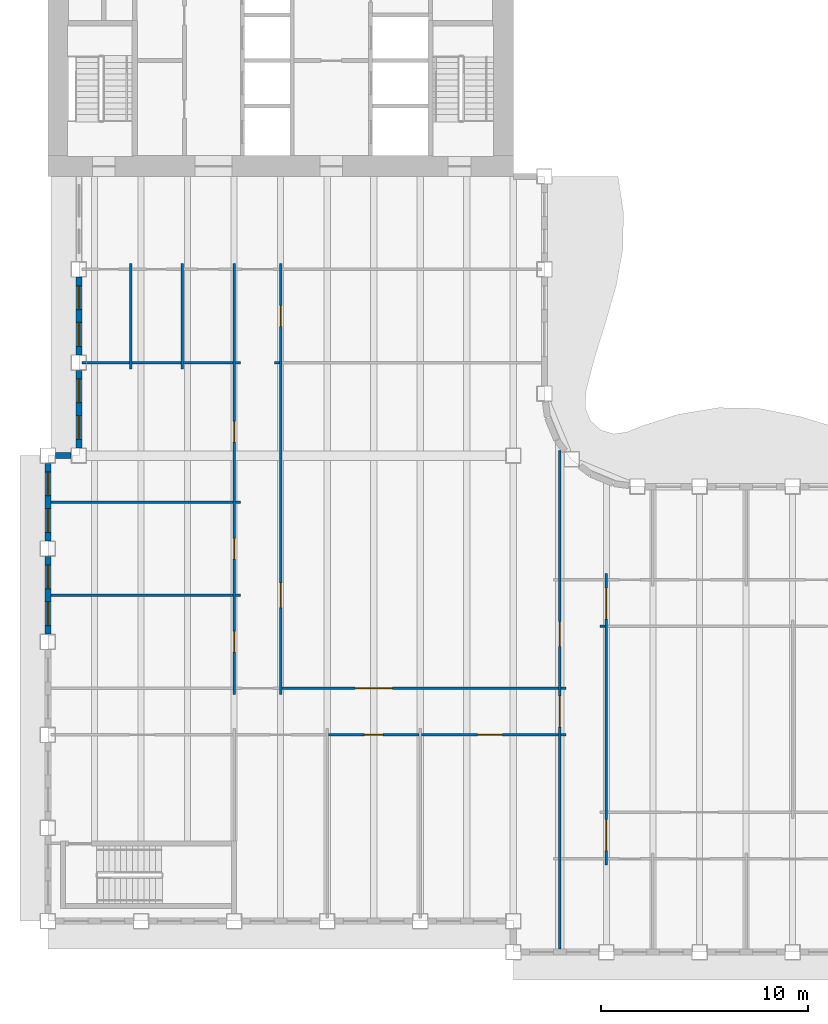
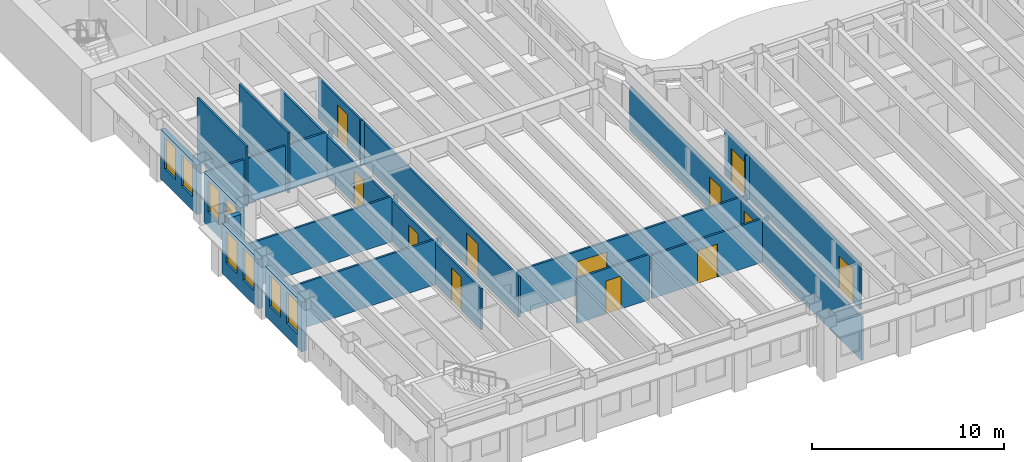
# One storey, part 4 of 17: 26 walls, 12 doors, 8 windows, 20 openings.
"""IFC4 building model written with IfcOpenShell, lengths in metres."""

from ifc_helpers import new_model, si_unit, direction, frame, frame_2d, origin, place, context, subcontext, project, spatial, rectangle, extrude, material, layer, layer_set, type_object, element, fill, save


model = new_model("IFC4")

# Units and contexts
model_context = context("Model", 3, precision=1e-05, world=origin(), true_north=direction((0.0, 1.0)))
body_context = subcontext(model_context, "Body", "Model", "MODEL_VIEW")
ifc_project = project(units=[si_unit("LENGTHUNIT", "METRE"), si_unit("AREAUNIT", "SQUARE_METRE"), si_unit("VOLUMEUNIT", "CUBIC_METRE"), si_unit("PLANEANGLEUNIT", "RADIAN"), si_unit("MASSUNIT", "GRAM", prefix="KILO")], contexts=[model_context])

# Site, building, storey
site_placement = place(None, origin())
site = spatial("IfcSite", under=ifc_project, at=site_placement, CompositionType="ELEMENT")
building_placement = place(site_placement, origin())
building = spatial("IfcBuilding", under=site, at=building_placement, Name="Sennacour Bend Tower", CompositionType="ELEMENT")
storey_placement = place(building_placement, frame((0.0, 0.0, 203.0)))
storey = spatial("IfcBuildingStorey", under=building, at=storey_placement, Name="L46", CompositionType="ELEMENT", Elevation=203.0)

# Walls
ifc_material_1 = material(Name="Plasterboard partition on steel studs", Category="steel")
ifc_layer_1 = layer(ifc_material_1, 0.1201171875, Name="Plasterboard partition on steel studs", Category="steel")
ifc_layer_set_1 = layer_set([ifc_layer_1], Name="Plasterboard partition on steel studs")
wall_type_1 = type_object("IfcWallType", Name="Partition 120", PredefinedType="PARTITIONING", material=ifc_layer_set_1)
for number, where, z_axis, x_axis, name in (
    (1, (4.0, 26.699951171875, 0.0), (0.0, 0.0, 1.0), (0.0, 1.0, 0.0), "P-L46-W005a"),
    (2, (6.5, 26.699951171875, 0.0), (0.0, 0.0, 1.0), (0.0, 1.0, 0.0), "P-L46-W008a"),
):
    element("IfcWall", number, at=place(storey_placement, frame(where, z_axis=z_axis, x_axis=x_axis)), inside=storey, type_object=wall_type_1, Name=name, PredefinedType="PARTITIONING", context=body_context, shape_type="SweptSolid", body=[
        extrude(rectangle(XDim=5.10009765625, YDim=0.1201171875, at=frame_2d((2.550048828125, 0.0))), origin(), (0.0, 0.0, 1.0), 3.85009765625),
    ])

# Wall, openings, doors
wall_1_placement = place(storey_placement, frame((9.0, 10.949951171875, 0.0), z_axis=(0.0, 0.0, 1.0), x_axis=(0.0, 1.0, 0.0)))
wall_1 = element("IfcWall", 3, at=wall_1_placement, inside=storey, type_object=wall_type_1, Name="P-L46-W013a", PredefinedType="PARTITIONING", context=body_context, shape_type="SweptSolid", body=[
    extrude(rectangle(XDim=20.85009765625, YDim=0.1201171875, at=frame_2d((10.425048828125, 0.0))), origin(), (0.0, 0.0, 1.0), 2.60009765625),
])
opening_1_placement = place(wall_1_placement, frame((2.050048828125, 0.0, 0.0)))
opening_1 = element("IfcOpeningElement", 4, at=opening_1_placement, cuts=wall_1, Name="Opening OD2", PredefinedType="OPENING", context=body_context, shape_type="SweptSolid", body=[
    extrude(rectangle(XDim=1.0, YDim=2.10009765625, at=frame_2d((0.5, 1.050048828125))), frame((0.0, 0.070068359375, 0.0), z_axis=(0.0, -1.0, 0.0), x_axis=(1.0, 0.0, 0.0)), (0.0, 0.0, 1.0), 0.14013671875),
])
opening_2_placement = place(wall_1_placement, frame((6.550048828125, 0.0, 0.0)))
opening_2 = element("IfcOpeningElement", 5, at=opening_2_placement, cuts=wall_1, Name="Opening OD2", PredefinedType="OPENING", context=body_context, shape_type="SweptSolid", body=[
    extrude(rectangle(XDim=1.0, YDim=2.10009765625, at=frame_2d((0.5, 1.050048828125))), frame((0.0, 0.070068359375, 0.0), z_axis=(0.0, -1.0, 0.0), x_axis=(1.0, 0.0, 0.0)), (0.0, 0.0, 1.0), 0.14013671875),
])
opening_3_placement = place(wall_1_placement, frame((12.205078125, 0.0, 0.0)))
opening_3 = element("IfcOpeningElement", 6, at=opening_3_placement, cuts=wall_1, Name="Opening OD2", PredefinedType="OPENING", context=body_context, shape_type="SweptSolid", body=[
    extrude(rectangle(XDim=1.0, YDim=2.10009765625, at=frame_2d((0.5, 1.050048828125))), frame((0.0, 0.070068359375, 0.0), z_axis=(0.0, -1.0, 0.0), x_axis=(1.0, 0.0, 0.0)), (0.0, 0.0, 1.0), 0.14013671875),
])
ifc_material_2 = material(Name="Timber", Category="wood")
door_type_1 = type_object("IfcDoorType", Name="DR-OFFICE-1000", OperationType="NOTDEFINED", PredefinedType="DOOR", material=ifc_material_2)
door_1_placement = place(opening_1_placement, origin())
door_1 = element("IfcDoor", 7, at=door_1_placement, inside=storey, type_object=door_type_1, Name="Door", OperationType="SINGLE_SWING_LEFT", OverallHeight=2.10009765625, OverallWidth=1.0, PredefinedType="DOOR", context=body_context, shape_type="SweptSolid", body=[
    extrude(rectangle(XDim=1.0, YDim=2.10009765625, at=frame_2d((0.5, 1.050048828125))), frame((0.0, 0.02490234375, 0.0), z_axis=(0.0, -1.0, 0.0), x_axis=(1.0, 0.0, 0.0)), (0.0, 0.0, 1.0), 0.050048828125),
])
fill(opening_1, door_1)
door_2_placement = place(opening_2_placement, origin())
door_2 = element("IfcDoor", 8, at=door_2_placement, inside=storey, type_object=door_type_1, Name="Door", OperationType="SINGLE_SWING_LEFT", OverallHeight=2.10009765625, OverallWidth=1.0, PredefinedType="DOOR", context=body_context, shape_type="SweptSolid", body=[
    extrude(rectangle(XDim=1.0, YDim=2.10009765625, at=frame_2d((0.5, 1.050048828125))), frame((0.0, 0.02490234375, 0.0), z_axis=(0.0, -1.0, 0.0), x_axis=(1.0, 0.0, 0.0)), (0.0, 0.0, 1.0), 0.050048828125),
])
fill(opening_2, door_2)
door_3_placement = place(opening_3_placement, origin())
door_3 = element("IfcDoor", 9, at=door_3_placement, inside=storey, type_object=door_type_1, Name="Door", OperationType="SINGLE_SWING_RIGHT", OverallHeight=2.10009765625, OverallWidth=1.0, PredefinedType="DOOR", context=body_context, shape_type="SweptSolid", body=[
    extrude(rectangle(XDim=1.0, YDim=2.10009765625, at=frame_2d((0.5, 1.050048828125))), frame((0.0, 0.02490234375, 0.0), z_axis=(0.0, -1.0, 0.0), x_axis=(1.0, 0.0, 0.0)), (0.0, 0.0, 1.0), 0.050048828125),
])
fill(opening_3, door_3)

wall_2_placement = place(storey_placement, frame((11.25, 10.949951171875, 0.0), z_axis=(0.0, 0.0, 1.0), x_axis=(0.0, 1.0, 0.0)))
wall_2 = element("IfcWall", 10, at=wall_2_placement, inside=storey, type_object=wall_type_1, Name="P-L46-W016a", PredefinedType="PARTITIONING", context=body_context, shape_type="SweptSolid", body=[
    extrude(rectangle(XDim=20.85009765625, YDim=0.1201171875, at=frame_2d((10.425048828125, 0.0))), origin(), (0.0, 0.0, 1.0), 2.60009765625),
])
opening_4_placement = place(wall_2_placement, frame((17.800048828125, 0.0, 0.0)))
opening_4 = element("IfcOpeningElement", 11, at=opening_4_placement, cuts=wall_2, Name="Opening OD2", PredefinedType="OPENING", context=body_context, shape_type="SweptSolid", body=[
    extrude(rectangle(XDim=1.0, YDim=2.10009765625, at=frame_2d((0.5, 1.050048828125))), frame((0.0, 0.070068359375, 0.0), z_axis=(0.0, -1.0, 0.0), x_axis=(1.0, 0.0, 0.0)), (0.0, 0.0, 1.0), 0.14013671875),
])
opening_5_placement = place(wall_2_placement, frame((4.199951171875, 0.0, 0.0)))
opening_5 = element("IfcOpeningElement", 12, at=opening_5_placement, cuts=wall_2, Name="Opening OD", PredefinedType="OPENING", context=body_context, shape_type="SweptSolid", body=[
    extrude(rectangle(XDim=1.199951171875, YDim=2.10009765625, at=frame_2d((0.60009765625, 1.050048828125))), frame((0.0, 0.070068359375, 0.0), z_axis=(0.0, -1.0, 0.0), x_axis=(1.0, 0.0, 0.0)), (0.0, 0.0, 1.0), 0.14013671875),
])
door_4_placement = place(opening_4_placement, origin())
door_4 = element("IfcDoor", 13, at=door_4_placement, inside=storey, type_object=door_type_1, Name="Door", OperationType="SINGLE_SWING_RIGHT", OverallHeight=2.10009765625, OverallWidth=1.0, PredefinedType="DOOR", context=body_context, shape_type="SweptSolid", body=[
    extrude(rectangle(XDim=1.0, YDim=2.10009765625, at=frame_2d((0.5, 1.050048828125))), frame((0.0, 0.02490234375, 0.0), z_axis=(0.0, -1.0, 0.0), x_axis=(1.0, 0.0, 0.0)), (0.0, 0.0, 1.0), 0.050048828125),
])
fill(opening_4, door_4)
door_type_2 = type_object("IfcDoorType", Name="DR-OFFICE-1200", OperationType="NOTDEFINED", PredefinedType="DOOR", material=ifc_material_2)
door_5_placement = place(opening_5_placement, origin())
door_5 = element("IfcDoor", 14, at=door_5_placement, inside=storey, type_object=door_type_2, Name="Door", OperationType="SINGLE_SWING_LEFT", OverallHeight=2.10009765625, OverallWidth=1.199951171875, PredefinedType="DOOR", context=body_context, shape_type="SweptSolid", body=[
    extrude(rectangle(XDim=1.199951171875, YDim=2.10009765625, at=frame_2d((0.60009765625, 1.050048828125))), frame((0.0, 0.02490234375, 0.0), z_axis=(0.0, -1.0, 0.0), x_axis=(1.0, 0.0, 0.0)), (0.0, 0.0, 1.0), 0.050048828125),
])
fill(opening_5, door_5)

# Wall, opening, door
wall_3_placement = place(storey_placement, frame((18.06005859375, 9.0, 0.0), z_axis=(0.0, 0.0, 1.0), x_axis=(1.0, 0.0, 0.0)))
wall_3 = element("IfcWall", 15, at=wall_3_placement, inside=storey, type_object=wall_type_1, Name="P-L46-W066ad", PredefinedType="PARTITIONING", context=body_context, shape_type="SweptSolid", body=[
    extrude(rectangle(XDim=6.6298828125, YDim=0.1201171875, at=frame_2d((3.31494140625, 0.0))), origin(), (0.0, 0.0, 1.0), 2.760009765625),
])
opening_6_placement = place(wall_3_placement, frame((2.71484375, 0.0, 0.0)))
opening_6 = element("IfcOpeningElement", 16, at=opening_6_placement, cuts=wall_3, Name="Opening OD", PredefinedType="OPENING", context=body_context, shape_type="SweptSolid", body=[
    extrude(rectangle(XDim=1.199951171875, YDim=2.10009765625, at=frame_2d((0.60009765625, 1.050048828125))), frame((0.0, 0.070068359375, 0.0), z_axis=(0.0, -1.0, 0.0), x_axis=(1.0, 0.0, 0.0)), (0.0, 0.0, 1.0), 0.14013671875),
])
door_6_placement = place(opening_6_placement, origin())
door_6 = element("IfcDoor", 17, at=door_6_placement, inside=storey, type_object=door_type_2, Name="Door", OperationType="SINGLE_SWING_LEFT", OverallHeight=2.10009765625, OverallWidth=1.199951171875, PredefinedType="DOOR", context=body_context, shape_type="SweptSolid", body=[
    extrude(rectangle(XDim=1.199951171875, YDim=2.10009765625, at=frame_2d((0.60009765625, 1.050048828125))), frame((0.0, 0.02490234375, 0.0), z_axis=(0.0, -1.0, 0.0), x_axis=(1.0, 0.0, 0.0)), (0.0, 0.0, 1.0), 0.050048828125),
])
fill(opening_6, door_6)

# Wall
wall_4_placement = place(storey_placement, frame((24.81005859375, 9.0, 0.0), z_axis=(0.0, 0.0, 1.0), x_axis=(1.0, 0.0, 0.0)))
element("IfcWall", 18, at=wall_4_placement, inside=storey, type_object=wall_type_1, Name="P-L46-W066ae", PredefinedType="PARTITIONING", context=body_context, shape_type="SweptSolid", body=[
    extrude(rectangle(XDim=0.239990234375, YDim=0.1201171875, at=frame_2d((0.1201171875, 0.0))), origin(), (0.0, 0.0, 1.0), 2.760009765625),
])

# Wall, opening, door
wall_5_placement = place(storey_placement, frame((11.31005859375, 11.25, 0.0), z_axis=(0.0, 0.0, 1.0), x_axis=(1.0, 0.0, 0.0)))
wall_5 = element("IfcWall", 19, at=wall_5_placement, inside=storey, type_object=wall_type_1, Name="P-L46-W069ac", PredefinedType="PARTITIONING", context=body_context, shape_type="SweptSolid", body=[
    extrude(rectangle(XDim=13.3798828125, YDim=0.1201171875, at=frame_2d((6.68994140625, 0.0))), origin(), (0.0, 0.0, 1.0), 2.760009765625),
])
opening_7_placement = place(wall_5_placement, frame((3.539794921875, 0.0, 0.0)))
opening_7 = element("IfcOpeningElement", 20, at=opening_7_placement, cuts=wall_5, Name="Opening OD3", PredefinedType="OPENING", context=body_context, shape_type="SweptSolid", body=[
    extrude(rectangle(XDim=1.800048828125, YDim=2.10009765625, at=frame_2d((0.89990234375, 1.050048828125))), frame((0.0, 0.070068359375, 0.0), z_axis=(0.0, -1.0, 0.0), x_axis=(1.0, 0.0, 0.0)), (0.0, 0.0, 1.0), 0.14013671875),
])
door_type_3 = type_object("IfcDoorType", Name="DR-OFFICE-1800", OperationType="NOTDEFINED", PredefinedType="DOOR", material=ifc_material_2)
door_7_placement = place(opening_7_placement, origin())
door_7 = element("IfcDoor", 21, at=door_7_placement, inside=storey, type_object=door_type_3, Name="Door", OperationType="DOUBLE_DOOR_SINGLE_SWING", OverallHeight=2.10009765625, OverallWidth=1.800048828125, PredefinedType="DOOR", context=body_context, shape_type="SweptSolid", body=[
    extrude(rectangle(XDim=1.800048828125, YDim=2.10009765625, at=frame_2d((0.89990234375, 1.050048828125))), frame((0.0, 0.02490234375, 0.0), z_axis=(0.0, -1.0, 0.0), x_axis=(1.0, 0.0, 0.0)), (0.0, 0.0, 1.0), 0.050048828125),
])
fill(opening_7, door_7)

# Walls
wall_6_placement = place(storey_placement, frame((24.81005859375, 11.25, 0.0), z_axis=(0.0, 0.0, 1.0), x_axis=(1.0, 0.0, 0.0)))
element("IfcWall", 22, at=wall_6_placement, inside=storey, type_object=wall_type_1, Name="P-L46-W069ad", PredefinedType="PARTITIONING", context=body_context, shape_type="SweptSolid", body=[
    extrude(rectangle(XDim=0.239990234375, YDim=0.1201171875, at=frame_2d((0.1201171875, 0.0))), origin(), (0.0, 0.0, 1.0), 2.760009765625),
])
wall_7_placement = place(storey_placement, frame((26.699951171875, 14.25, 0.0), z_axis=(0.0, 0.0, 1.0), x_axis=(1.0, 0.0, 0.0)))
element("IfcWall", 23, at=wall_7_placement, inside=storey, type_object=wall_type_1, Name="P-L46-W073aa", PredefinedType="PARTITIONING", context=body_context, shape_type="SweptSolid", body=[
    extrude(rectangle(XDim=0.239990234375, YDim=0.1201171875, at=frame_2d((0.1201171875, 0.0))), origin(), (0.0, 0.0, 1.0), 2.8701171875),
])
wall_8_placement = place(storey_placement, frame((0.14990234375, 15.75, 0.0), z_axis=(0.0, 0.0, 1.0), x_axis=(1.0, 0.0, 0.0)))
element("IfcWall", 24, at=wall_8_placement, inside=storey, type_object=wall_type_1, Name="P-L46-W076aa", PredefinedType="PARTITIONING", context=body_context, shape_type="SweptSolid", body=[
    extrude(rectangle(XDim=8.7900390625, YDim=0.1201171875, at=frame_2d((4.39501953125, 0.0))), origin(), (0.0, 0.0, 1.0), 2.8701171875),
])
wall_9_placement = place(storey_placement, frame((9.06005859375, 15.75, 0.0), z_axis=(0.0, 0.0, 1.0), x_axis=(1.0, 0.0, 0.0)))
element("IfcWall", 25, at=wall_9_placement, inside=storey, type_object=wall_type_1, Name="P-L46-W076ab", PredefinedType="PARTITIONING", context=body_context, shape_type="SweptSolid", body=[
    extrude(rectangle(XDim=0.239990234375, YDim=0.1201171875, at=frame_2d((0.1201171875, 0.0))), origin(), (0.0, 0.0, 1.0), 2.8701171875),
])
wall_10_placement = place(storey_placement, frame((0.14990234375, 20.25, 0.0), z_axis=(0.0, 0.0, 1.0), x_axis=(1.0, 0.0, 0.0)))
element("IfcWall", 26, at=wall_10_placement, inside=storey, type_object=wall_type_1, Name="P-L46-W081aa", PredefinedType="PARTITIONING", context=body_context, shape_type="SweptSolid", body=[
    extrude(rectangle(XDim=8.7900390625, YDim=0.1201171875, at=frame_2d((4.39501953125, 0.0))), origin(), (0.0, 0.0, 1.0), 2.8701171875),
])
wall_11_placement = place(storey_placement, frame((9.06005859375, 20.25, 0.0), z_axis=(0.0, 0.0, 1.0), x_axis=(1.0, 0.0, 0.0)))
element("IfcWall", 27, at=wall_11_placement, inside=storey, type_object=wall_type_1, Name="P-L46-W081ab", PredefinedType="PARTITIONING", context=body_context, shape_type="SweptSolid", body=[
    extrude(rectangle(XDim=0.239990234375, YDim=0.1201171875, at=frame_2d((0.1201171875, 0.0))), origin(), (0.0, 0.0, 1.0), 2.8701171875),
])
wall_12_placement = place(storey_placement, frame((1.64990234375, 27.0, 0.0), z_axis=(0.0, 0.0, 1.0), x_axis=(1.0, 0.0, 0.0)))
element("IfcWall", 28, at=wall_12_placement, inside=storey, type_object=wall_type_1, Name="P-L46-W084aa", PredefinedType="PARTITIONING", context=body_context, shape_type="SweptSolid", body=[
    extrude(rectangle(XDim=2.2900390625, YDim=0.1201171875, at=frame_2d((1.14501953125, 0.0))), origin(), (0.0, 0.0, 1.0), 2.8701171875),
])
for number, where, z_axis, x_axis, name in (
    (29, (4.06005859375, 27.0, 0.0), (0.0, 0.0, 1.0), (1.0, 0.0, 0.0), "P-L46-W084ab"),
    (30, (6.56005859375, 27.0, 0.0), (0.0, 0.0, 1.0), (1.0, 0.0, 0.0), "P-L46-W084ac"),
):
    element("IfcWall", number, at=place(storey_placement, frame(where, z_axis=z_axis, x_axis=x_axis)), inside=storey, type_object=wall_type_1, Name=name, PredefinedType="PARTITIONING", context=body_context, shape_type="SweptSolid", body=[
        extrude(rectangle(XDim=2.3798828125, YDim=0.1201171875, at=frame_2d((1.18994140625, 0.0))), origin(), (0.0, 0.0, 1.0), 2.8701171875),
    ])
for number, where, z_axis, x_axis, name in (
    (31, (9.06005859375, 27.0, 0.0), (0.0, 0.0, 1.0), (1.0, 0.0, 0.0), "P-L46-W084ad"),
    (32, (10.949951171875, 27.0, 0.0), (0.0, 0.0, 1.0), (1.0, 0.0, 0.0), "P-L46-W085aa"),
):
    element("IfcWall", number, at=place(storey_placement, frame(where, z_axis=z_axis, x_axis=x_axis)), inside=storey, type_object=wall_type_1, Name=name, PredefinedType="PARTITIONING", context=body_context, shape_type="SweptSolid", body=[
        extrude(rectangle(XDim=0.239990234375, YDim=0.1201171875, at=frame_2d((0.1201171875, 0.0))), origin(), (0.0, 0.0, 1.0), 2.8701171875),
    ])

# Wall, openings, doors
ifc_layer_2 = layer(ifc_material_1, 0.1201171875, Name="Plasterboard partition on steel studs", Category="steel")
ifc_layer_set_2 = layer_set([ifc_layer_2], Name="Plasterboard partition on steel studs")
wall_type_2 = type_object("IfcWallType", Name="Partition 120 EI 30", PredefinedType="PARTITIONING", material=ifc_layer_set_2)
wall_13_placement = place(storey_placement, frame((24.75, -1.35009765625, 0.0), z_axis=(0.0, 0.0, 1.0), x_axis=(0.0, 1.0, 0.0)))
wall_13 = element("IfcWall", 33, at=wall_13_placement, inside=storey, type_object=wall_type_2, Name="P-L46-W027a", PredefinedType="PARTITIONING", context=body_context, shape_type="SweptSolid", body=[
    extrude(rectangle(XDim=24.1005859375, YDim=0.1201171875, at=frame_2d((12.05029296875, 0.0))), origin(), (0.0, 0.0, 1.0), 2.760009765625),
])
opening_8_placement = place(wall_13_placement, frame((10.72509765625, 0.0, 0.0)))
opening_8 = element("IfcOpeningElement", 34, at=opening_8_placement, cuts=wall_13, Name="Opening KD", PredefinedType="OPENING", context=body_context, shape_type="SweptSolid", body=[
    extrude(rectangle(XDim=1.5, YDim=2.10009765625, at=frame_2d((0.75, 1.050048828125))), frame((0.0, 0.070068359375, 0.0), z_axis=(0.0, -1.0, 0.0), x_axis=(1.0, 0.0, 0.0)), (0.0, 0.0, 1.0), 0.14013671875),
])
opening_9_placement = place(wall_13_placement, frame((14.625, 0.0, 0.0)))
opening_9 = element("IfcOpeningElement", 35, at=opening_9_placement, cuts=wall_13, Name="Opening OD", PredefinedType="OPENING", context=body_context, shape_type="SweptSolid", body=[
    extrude(rectangle(XDim=1.199951171875, YDim=2.10009765625, at=frame_2d((0.60009765625, 1.050048828125))), frame((0.0, 0.070068359375, 0.0), z_axis=(0.0, -1.0, 0.0), x_axis=(1.0, 0.0, 0.0)), (0.0, 0.0, 1.0), 0.14013671875),
])
ifc_material_3 = material(Name="Painted steel", Category="steel")
door_type_4 = type_object("IfcDoorType", Name="DR-CORRIDOR-1500", OperationType="NOTDEFINED", PredefinedType="DOOR", material=ifc_material_3)
door_8_placement = place(opening_8_placement, origin())
door_8 = element("IfcDoor", 36, at=door_8_placement, inside=storey, type_object=door_type_4, Name="Door", OperationType="SINGLE_SWING_LEFT", OverallHeight=2.10009765625, OverallWidth=1.5, PredefinedType="DOOR", context=body_context, shape_type="SweptSolid", body=[
    extrude(rectangle(XDim=1.5, YDim=2.10009765625, at=frame_2d((0.75, 1.050048828125))), frame((0.0, 0.02490234375, 0.0), z_axis=(0.0, -1.0, 0.0), x_axis=(1.0, 0.0, 0.0)), (0.0, 0.0, 1.0), 0.050048828125),
])
fill(opening_8, door_8)
door_9_placement = place(opening_9_placement, origin())
door_9 = element("IfcDoor", 37, at=door_9_placement, inside=storey, type_object=door_type_2, Name="Door", OperationType="SINGLE_SWING_RIGHT", OverallHeight=2.10009765625, OverallWidth=1.199951171875, PredefinedType="DOOR", context=body_context, shape_type="SweptSolid", body=[
    extrude(rectangle(XDim=1.199951171875, YDim=2.10009765625, at=frame_2d((0.60009765625, 1.050048828125))), frame((0.0, 0.02490234375, 0.0), z_axis=(0.0, -1.0, 0.0), x_axis=(1.0, 0.0, 0.0)), (0.0, 0.0, 1.0), 0.050048828125),
])
fill(opening_9, door_9)

wall_14_placement = place(storey_placement, frame((27.0, 2.699951171875, 0.0), z_axis=(0.0, 0.0, 1.0), x_axis=(0.0, 1.0, 0.0)))
wall_14 = element("IfcWall", 38, at=wall_14_placement, inside=storey, type_object=wall_type_2, Name="P-L46-W028a", PredefinedType="PARTITIONING", context=body_context, shape_type="SweptSolid", body=[
    extrude(rectangle(XDim=14.10009765625, YDim=0.1201171875, at=frame_2d((7.050048828125, 0.0))), origin(), (0.0, 0.0, 1.0), 2.8701171875),
])
opening_10_placement = place(wall_14_placement, frame((0.705078125, 0.0, 0.0)))
opening_10 = element("IfcOpeningElement", 39, at=opening_10_placement, cuts=wall_14, Name="Opening KD", PredefinedType="OPENING", context=body_context, shape_type="SweptSolid", body=[
    extrude(rectangle(XDim=1.5, YDim=2.10009765625, at=frame_2d((0.75, 1.050048828125))), frame((0.0, 0.070068359375, 0.0), z_axis=(0.0, -1.0, 0.0), x_axis=(1.0, 0.0, 0.0)), (0.0, 0.0, 1.0), 0.14013671875),
])
opening_11_placement = place(wall_14_placement, frame((11.89501953125, 0.0, 0.0)))
opening_11 = element("IfcOpeningElement", 40, at=opening_11_placement, cuts=wall_14, Name="Opening KD", PredefinedType="OPENING", context=body_context, shape_type="SweptSolid", body=[
    extrude(rectangle(XDim=1.5, YDim=2.10009765625, at=frame_2d((0.75, 1.050048828125))), frame((0.0, 0.070068359375, 0.0), z_axis=(0.0, -1.0, 0.0), x_axis=(1.0, 0.0, 0.0)), (0.0, 0.0, 1.0), 0.14013671875),
])
door_10_placement = place(opening_10_placement, origin())
door_10 = element("IfcDoor", 41, at=door_10_placement, inside=storey, type_object=door_type_4, Name="Door", OperationType="SINGLE_SWING_LEFT", OverallHeight=2.10009765625, OverallWidth=1.5, PredefinedType="DOOR", context=body_context, shape_type="SweptSolid", body=[
    extrude(rectangle(XDim=1.5, YDim=2.10009765625, at=frame_2d((0.75, 1.050048828125))), frame((0.0, 0.02490234375, 0.0), z_axis=(0.0, -1.0, 0.0), x_axis=(1.0, 0.0, 0.0)), (0.0, 0.0, 1.0), 0.050048828125),
])
fill(opening_10, door_10)
door_11_placement = place(opening_11_placement, origin())
door_11 = element("IfcDoor", 42, at=door_11_placement, inside=storey, type_object=door_type_4, Name="Door", OperationType="SINGLE_SWING_RIGHT", OverallHeight=2.10009765625, OverallWidth=1.5, PredefinedType="DOOR", context=body_context, shape_type="SweptSolid", body=[
    extrude(rectangle(XDim=1.5, YDim=2.10009765625, at=frame_2d((0.75, 1.050048828125))), frame((0.0, 0.02490234375, 0.0), z_axis=(0.0, -1.0, 0.0), x_axis=(1.0, 0.0, 0.0)), (0.0, 0.0, 1.0), 0.050048828125),
])
fill(opening_11, door_11)

# Wall, opening, door
ifc_layer_3 = layer(ifc_material_1, 0.1201171875, Name="Plasterboard partition on steel studs", Category="steel")
ifc_layer_set_3 = layer_set([ifc_layer_3], Name="Plasterboard partition on steel studs")
wall_type_3 = type_object("IfcWallType", Name="Partition 120 EI 60", PredefinedType="PARTITIONING", material=ifc_layer_set_3)
wall_15_placement = place(storey_placement, frame((13.56005859375, 9.0, 0.0), z_axis=(0.0, 0.0, 1.0), x_axis=(1.0, 0.0, 0.0)))
wall_15 = element("IfcWall", 43, at=wall_15_placement, inside=storey, type_object=wall_type_3, Name="P-L46-W066ac", PredefinedType="PARTITIONING", context=body_context, shape_type="SweptSolid", body=[
    extrude(rectangle(XDim=4.3798828125, YDim=0.1201171875, at=frame_2d((2.18994140625, 0.0))), origin(), (0.0, 0.0, 1.0), 2.8701171875),
])
opening_12_placement = place(wall_15_placement, frame((1.739990234375, 0.0, 0.0)))
opening_12 = element("IfcOpeningElement", 44, at=opening_12_placement, cuts=wall_15, Name="Opening SV", PredefinedType="OPENING", context=body_context, shape_type="SweptSolid", body=[
    extrude(rectangle(XDim=0.89990234375, YDim=2.10009765625, at=frame_2d((0.449951171875, 1.050048828125))), frame((0.0, 0.070068359375, 0.0), z_axis=(0.0, -1.0, 0.0), x_axis=(1.0, 0.0, 0.0)), (0.0, 0.0, 1.0), 0.14013671875),
])
door_type_5 = type_object("IfcDoorType", Name="DR-SERVICE-900", OperationType="NOTDEFINED", PredefinedType="DOOR", material=ifc_material_3)
door_12_placement = place(opening_12_placement, origin())
door_12 = element("IfcDoor", 45, at=door_12_placement, inside=storey, type_object=door_type_5, Name="Door", OperationType="SINGLE_SWING_LEFT", OverallHeight=2.10009765625, OverallWidth=0.89990234375, PredefinedType="DOOR", context=body_context, shape_type="SweptSolid", body=[
    extrude(rectangle(XDim=0.89990234375, YDim=2.10009765625, at=frame_2d((0.449951171875, 1.050048828125))), frame((0.0, 0.02490234375, 0.0), z_axis=(0.0, -1.0, 0.0), x_axis=(1.0, 0.0, 0.0)), (0.0, 0.0, 1.0), 0.050048828125),
])
fill(opening_12, door_12)

# Wall, openings, windows
ifc_material_4 = material(Name="Warm limestone cladding", Category="masonry")
ifc_layer_4 = layer(ifc_material_4, 0.050048828125, Name="Warm limestone cladding", Category="masonry")
ifc_material_5 = material(Name="Precast concrete C40/50", Category="concrete")
ifc_layer_5 = layer(ifc_material_5, 0.25, Name="Precast concrete C40/50", Category="concrete")
ifc_layer_set_4 = layer_set([ifc_layer_4, ifc_layer_5], Name="Precast concrete C40/50 with limestone cladding")
wall_type_4 = type_object("IfcWallType", Name="STONE-CLAD PRECAST SPANDREL 300", PredefinedType="STANDARD", material=ifc_layer_set_4)
wall_16_placement = place(storey_placement, frame((1.5, 31.125, 0.0), z_axis=(0.0, 0.0, 1.0), x_axis=(0.0, -1.0, 0.0)))
wall_16 = element("IfcWall", 46, at=wall_16_placement, inside=storey, type_object=wall_type_4, Name="Stone spandrel and pier wall L46 19.01", PredefinedType="STANDARD", context=body_context, shape_type="SweptSolid", body=[
    extrude(rectangle(XDim=3.75, YDim=0.300048828125, at=frame_2d((1.875, 0.0))), origin(), (0.0, 0.0, 1.0), 3.156982421875),
])
opening_13_placement = place(wall_16_placement, frame((0.41259765625, 0.0, 0.89990234375)))
opening_13 = element("IfcOpeningElement", 47, at=opening_13_placement, cuts=wall_16, Name="Opening W24", PredefinedType="OPENING", context=body_context, shape_type="SweptSolid", body=[
    extrude(rectangle(XDim=1.14990234375, YDim=2.0, at=frame_2d((0.574951171875, 1.0))), frame((0.0, 0.16015625, 0.0), z_axis=(0.0, -1.0, 0.0), x_axis=(1.0, 0.0, 0.0)), (0.0, 0.0, 1.0), 0.320068359375),
])
opening_14_placement = place(wall_16_placement, frame((2.1875, 0.0, 0.89990234375)))
opening_14 = element("IfcOpeningElement", 48, at=opening_14_placement, cuts=wall_16, Name="Opening W24", PredefinedType="OPENING", context=body_context, shape_type="SweptSolid", body=[
    extrude(rectangle(XDim=1.14990234375, YDim=2.0, at=frame_2d((0.574951171875, 1.0))), frame((0.0, 0.16015625, 0.0), z_axis=(0.0, -1.0, 0.0), x_axis=(1.0, 0.0, 0.0)), (0.0, 0.0, 1.0), 0.320068359375),
])
ifc_material_6 = material(Name="Clear low-emissivity glass", Category="glass")
window_type = type_object("IfcWindowType", Name="WIN-RIBBON-1150x2000", PartitioningType="SINGLE_PANEL", PredefinedType="WINDOW", material=ifc_material_6)
window_1_placement = place(opening_13_placement, origin())
window_1 = element("IfcWindow", 49, at=window_1_placement, inside=storey, type_object=window_type, Name="Ribbon window L46 19.01.0", OverallHeight=2.0, OverallWidth=1.14990234375, PartitioningType="SINGLE_PANEL", PredefinedType="WINDOW", context=body_context, shape_type="SweptSolid", body=[
    extrude(rectangle(XDim=1.14990234375, YDim=2.0, at=frame_2d((0.574951171875, 1.0))), frame((0.0, 0.030029296875, 0.0), z_axis=(0.0, -1.0, 0.0), x_axis=(1.0, 0.0, 0.0)), (0.0, 0.0, 1.0), 0.06005859375),
])
fill(opening_13, window_1)
window_2_placement = place(opening_14_placement, origin())
window_2 = element("IfcWindow", 50, at=window_2_placement, inside=storey, type_object=window_type, Name="Ribbon window L46 19.01.1", OverallHeight=2.0, OverallWidth=1.14990234375, PartitioningType="SINGLE_PANEL", PredefinedType="WINDOW", context=body_context, shape_type="SweptSolid", body=[
    extrude(rectangle(XDim=1.14990234375, YDim=2.0, at=frame_2d((0.574951171875, 1.0))), frame((0.0, 0.030029296875, 0.0), z_axis=(0.0, -1.0, 0.0), x_axis=(1.0, 0.0, 0.0)), (0.0, 0.0, 1.0), 0.06005859375),
])
fill(opening_14, window_2)

wall_17_placement = place(storey_placement, frame((1.5, 26.625, 0.0), z_axis=(0.0, 0.0, 1.0), x_axis=(0.0, -1.0, 0.0)))
wall_17 = element("IfcWall", 51, at=wall_17_placement, inside=storey, type_object=wall_type_4, Name="Stone spandrel and pier wall L46 19.02", PredefinedType="STANDARD", context=body_context, shape_type="SweptSolid", body=[
    extrude(rectangle(XDim=3.75, YDim=0.300048828125, at=frame_2d((1.875, 0.0))), origin(), (0.0, 0.0, 1.0), 3.156982421875),
])
opening_15_placement = place(wall_17_placement, frame((0.41259765625, 0.0, 0.89990234375)))
opening_15 = element("IfcOpeningElement", 52, at=opening_15_placement, cuts=wall_17, Name="Opening W24", PredefinedType="OPENING", context=body_context, shape_type="SweptSolid", body=[
    extrude(rectangle(XDim=1.14990234375, YDim=2.0, at=frame_2d((0.574951171875, 1.0))), frame((0.0, 0.16015625, 0.0), z_axis=(0.0, -1.0, 0.0), x_axis=(1.0, 0.0, 0.0)), (0.0, 0.0, 1.0), 0.320068359375),
])
opening_16_placement = place(wall_17_placement, frame((2.1875, 0.0, 0.89990234375)))
opening_16 = element("IfcOpeningElement", 53, at=opening_16_placement, cuts=wall_17, Name="Opening W24", PredefinedType="OPENING", context=body_context, shape_type="SweptSolid", body=[
    extrude(rectangle(XDim=1.14990234375, YDim=2.0, at=frame_2d((0.574951171875, 1.0))), frame((0.0, 0.16015625, 0.0), z_axis=(0.0, -1.0, 0.0), x_axis=(1.0, 0.0, 0.0)), (0.0, 0.0, 1.0), 0.320068359375),
])
window_3_placement = place(opening_15_placement, origin())
window_3 = element("IfcWindow", 54, at=window_3_placement, inside=storey, type_object=window_type, Name="Ribbon window L46 19.02.0", OverallHeight=2.0, OverallWidth=1.14990234375, PartitioningType="SINGLE_PANEL", PredefinedType="WINDOW", context=body_context, shape_type="SweptSolid", body=[
    extrude(rectangle(XDim=1.14990234375, YDim=2.0, at=frame_2d((0.574951171875, 1.0))), frame((0.0, 0.030029296875, 0.0), z_axis=(0.0, -1.0, 0.0), x_axis=(1.0, 0.0, 0.0)), (0.0, 0.0, 1.0), 0.06005859375),
])
fill(opening_15, window_3)
window_4_placement = place(opening_16_placement, origin())
window_4 = element("IfcWindow", 55, at=window_4_placement, inside=storey, type_object=window_type, Name="Ribbon window L46 19.02.1", OverallHeight=2.0, OverallWidth=1.14990234375, PartitioningType="SINGLE_PANEL", PredefinedType="WINDOW", context=body_context, shape_type="SweptSolid", body=[
    extrude(rectangle(XDim=1.14990234375, YDim=2.0, at=frame_2d((0.574951171875, 1.0))), frame((0.0, 0.030029296875, 0.0), z_axis=(0.0, -1.0, 0.0), x_axis=(1.0, 0.0, 0.0)), (0.0, 0.0, 1.0), 0.06005859375),
])
fill(opening_16, window_4)

# Wall
wall_18_placement = place(storey_placement, frame((1.125, 22.5, 0.0), z_axis=(0.0, 0.0, 1.0), x_axis=(-1.0, 0.0, 0.0)))
element("IfcWall", 56, at=wall_18_placement, inside=storey, type_object=wall_type_4, Name="Stone spandrel and pier wall L46 20.00", PredefinedType="STANDARD", context=body_context, shape_type="SweptSolid", body=[
    extrude(rectangle(XDim=0.75, YDim=0.300048828125, at=frame_2d((0.375, 0.0))), origin(), (0.0, 0.0, 1.0), 3.156982421875),
])

# Wall, openings, windows
wall_19_placement = place(storey_placement, frame((0.0, 22.125, 0.0), z_axis=(0.0, 0.0, 1.0), x_axis=(0.0, -1.0, 0.0)))
wall_19 = element("IfcWall", 57, at=wall_19_placement, inside=storey, type_object=wall_type_4, Name="Stone spandrel and pier wall L46 21.00", PredefinedType="STANDARD", context=body_context, shape_type="SweptSolid", body=[
    extrude(rectangle(XDim=3.75, YDim=0.300048828125, at=frame_2d((1.875, 0.0))), origin(), (0.0, 0.0, 1.0), 3.156982421875),
])
opening_17_placement = place(wall_19_placement, frame((0.41259765625, 0.0, 0.89990234375)))
opening_17 = element("IfcOpeningElement", 58, at=opening_17_placement, cuts=wall_19, Name="Opening W24", PredefinedType="OPENING", context=body_context, shape_type="SweptSolid", body=[
    extrude(rectangle(XDim=1.14990234375, YDim=2.0, at=frame_2d((0.574951171875, 1.0))), frame((0.0, 0.16015625, 0.0), z_axis=(0.0, -1.0, 0.0), x_axis=(1.0, 0.0, 0.0)), (0.0, 0.0, 1.0), 0.320068359375),
])
opening_18_placement = place(wall_19_placement, frame((2.1875, 0.0, 0.89990234375)))
opening_18 = element("IfcOpeningElement", 59, at=opening_18_placement, cuts=wall_19, Name="Opening W24", PredefinedType="OPENING", context=body_context, shape_type="SweptSolid", body=[
    extrude(rectangle(XDim=1.14990234375, YDim=2.0, at=frame_2d((0.574951171875, 1.0))), frame((0.0, 0.16015625, 0.0), z_axis=(0.0, -1.0, 0.0), x_axis=(1.0, 0.0, 0.0)), (0.0, 0.0, 1.0), 0.320068359375),
])
window_5_placement = place(opening_17_placement, origin())
window_5 = element("IfcWindow", 60, at=window_5_placement, inside=storey, type_object=window_type, Name="Ribbon window L46 21.00.0", OverallHeight=2.0, OverallWidth=1.14990234375, PartitioningType="SINGLE_PANEL", PredefinedType="WINDOW", context=body_context, shape_type="SweptSolid", body=[
    extrude(rectangle(XDim=1.14990234375, YDim=2.0, at=frame_2d((0.574951171875, 1.0))), frame((0.0, 0.030029296875, 0.0), z_axis=(0.0, -1.0, 0.0), x_axis=(1.0, 0.0, 0.0)), (0.0, 0.0, 1.0), 0.06005859375),
])
fill(opening_17, window_5)
window_6_placement = place(opening_18_placement, origin())
window_6 = element("IfcWindow", 61, at=window_6_placement, inside=storey, type_object=window_type, Name="Ribbon window L46 21.00.1", OverallHeight=2.0, OverallWidth=1.14990234375, PartitioningType="SINGLE_PANEL", PredefinedType="WINDOW", context=body_context, shape_type="SweptSolid", body=[
    extrude(rectangle(XDim=1.14990234375, YDim=2.0, at=frame_2d((0.574951171875, 1.0))), frame((0.0, 0.030029296875, 0.0), z_axis=(0.0, -1.0, 0.0), x_axis=(1.0, 0.0, 0.0)), (0.0, 0.0, 1.0), 0.06005859375),
])
fill(opening_18, window_6)

wall_20_placement = place(storey_placement, frame((0.0, 17.625, 0.0), z_axis=(0.0, 0.0, 1.0), x_axis=(0.0, -1.0, 0.0)))
wall_20 = element("IfcWall", 62, at=wall_20_placement, inside=storey, type_object=wall_type_4, Name="Stone spandrel and pier wall L46 21.01", PredefinedType="STANDARD", context=body_context, shape_type="SweptSolid", body=[
    extrude(rectangle(XDim=3.75, YDim=0.300048828125, at=frame_2d((1.875, 0.0))), origin(), (0.0, 0.0, 1.0), 3.156982421875),
])
opening_19_placement = place(wall_20_placement, frame((0.41259765625, 0.0, 0.89990234375)))
opening_19 = element("IfcOpeningElement", 63, at=opening_19_placement, cuts=wall_20, Name="Opening W24", PredefinedType="OPENING", context=body_context, shape_type="SweptSolid", body=[
    extrude(rectangle(XDim=1.14990234375, YDim=2.0, at=frame_2d((0.574951171875, 1.0))), frame((0.0, 0.16015625, 0.0), z_axis=(0.0, -1.0, 0.0), x_axis=(1.0, 0.0, 0.0)), (0.0, 0.0, 1.0), 0.320068359375),
])
opening_20_placement = place(wall_20_placement, frame((2.1875, 0.0, 0.89990234375)))
opening_20 = element("IfcOpeningElement", 64, at=opening_20_placement, cuts=wall_20, Name="Opening W24", PredefinedType="OPENING", context=body_context, shape_type="SweptSolid", body=[
    extrude(rectangle(XDim=1.14990234375, YDim=2.0, at=frame_2d((0.574951171875, 1.0))), frame((0.0, 0.16015625, 0.0), z_axis=(0.0, -1.0, 0.0), x_axis=(1.0, 0.0, 0.0)), (0.0, 0.0, 1.0), 0.320068359375),
])
window_7_placement = place(opening_19_placement, origin())
window_7 = element("IfcWindow", 65, at=window_7_placement, inside=storey, type_object=window_type, Name="Ribbon window L46 21.01.0", OverallHeight=2.0, OverallWidth=1.14990234375, PartitioningType="SINGLE_PANEL", PredefinedType="WINDOW", context=body_context, shape_type="SweptSolid", body=[
    extrude(rectangle(XDim=1.14990234375, YDim=2.0, at=frame_2d((0.574951171875, 1.0))), frame((0.0, 0.030029296875, 0.0), z_axis=(0.0, -1.0, 0.0), x_axis=(1.0, 0.0, 0.0)), (0.0, 0.0, 1.0), 0.06005859375),
])
fill(opening_19, window_7)
window_8_placement = place(opening_20_placement, origin())
window_8 = element("IfcWindow", 66, at=window_8_placement, inside=storey, type_object=window_type, Name="Ribbon window L46 21.01.1", OverallHeight=2.0, OverallWidth=1.14990234375, PartitioningType="SINGLE_PANEL", PredefinedType="WINDOW", context=body_context, shape_type="SweptSolid", body=[
    extrude(rectangle(XDim=1.14990234375, YDim=2.0, at=frame_2d((0.574951171875, 1.0))), frame((0.0, 0.030029296875, 0.0), z_axis=(0.0, -1.0, 0.0), x_axis=(1.0, 0.0, 0.0)), (0.0, 0.0, 1.0), 0.06005859375),
])
fill(opening_20, window_8)

save(model, "model.ifc")
